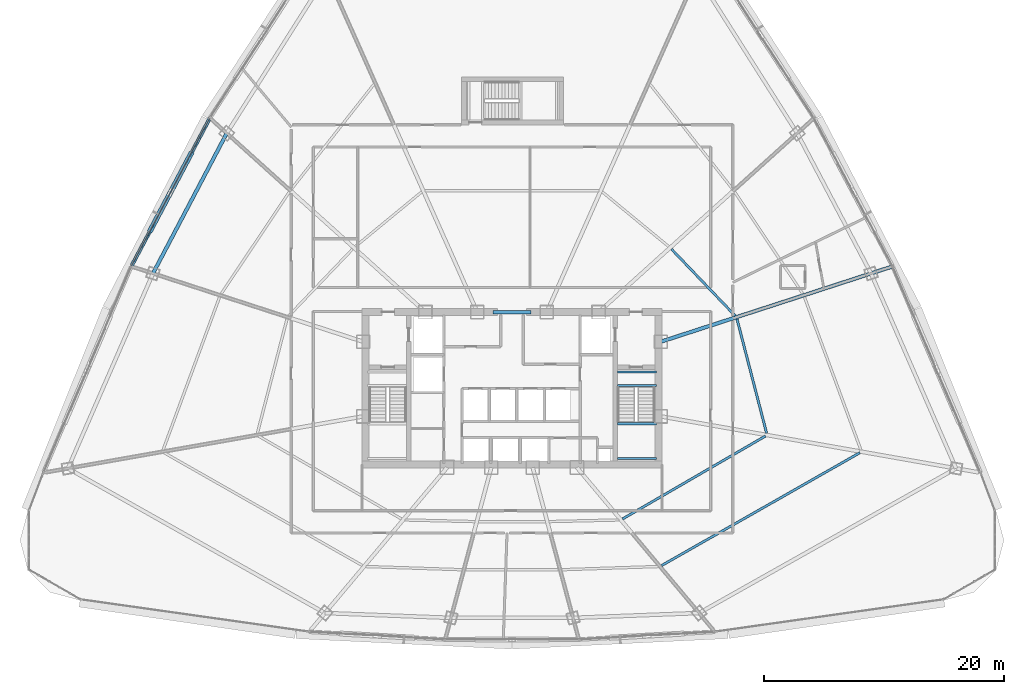
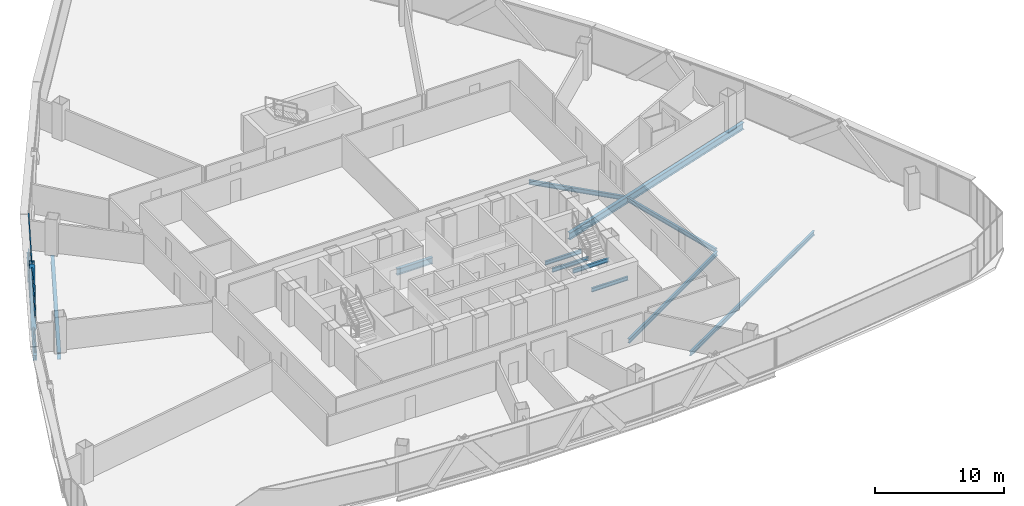
# One storey, part 15 of 42: 12 beams, 4 members, 1 element without a shape of its own.
"""IFC4 building model written with IfcOpenShell, lengths in metres."""

from ifc_helpers import new_model, si_unit, direction, frame, origin, origin_2d, place, context, subcontext, project, spatial, hollow_rectangle, i_section, extrude, source, transform, mapped, material, layer, layer_set, material_profile, profile_set, type_object, element, aggregate, save


model = new_model("IFC4")

# Units and contexts
model_context = context("Model", 3, precision=1e-05, world=origin(), true_north=direction((0.0, 1.0)))
body_context = subcontext(model_context, "Body", "Model", "MODEL_VIEW")
ifc_project = project(units=[si_unit("LENGTHUNIT", "METRE"), si_unit("AREAUNIT", "SQUARE_METRE"), si_unit("VOLUMEUNIT", "CUBIC_METRE"), si_unit("PLANEANGLEUNIT", "RADIAN"), si_unit("MASSUNIT", "GRAM", prefix="KILO"), si_unit("THERMODYNAMICTEMPERATUREUNIT", "KELVIN"), si_unit("POWERUNIT", "WATT")], contexts=[model_context])

# Site, building, storey
site_placement = place(None, origin())
site = spatial("IfcSite", under=ifc_project, at=site_placement, CompositionType="ELEMENT")
building_placement = place(site_placement, origin())
building = spatial("IfcBuilding", under=site, at=building_placement, Name="Yunzhuo Pagoda Commons", CompositionType="ELEMENT")
storey_placement = place(building_placement, frame((0.0, 0.0, 133.510009765625)))
storey = spatial("IfcBuildingStorey", under=building, at=storey_placement, Name="L33", CompositionType="ELEMENT", Elevation=133.510009765625)

# Beams
ifc_material_1 = material(Name="Structural steel Q355B", Category="steel")
ifc_material_profile_1 = material_profile(ifc_material_1, i_section(OverallWidth=0.175048828125, OverallDepth=0.35009765625, WebThickness=0.007080078125, FlangeThickness=0.010986328125, at=origin_2d()), Name="Structural steel Q355B")
ifc_profile_set_1 = profile_set([ifc_material_profile_1], Name="Structural steel Q355B")
beam_type_1 = type_object("IfcBeamType", Name="B-JS2 Joist HN 350x175x7x11", PredefinedType="JOIST", material=ifc_profile_set_1)
shared_shape_1 = source(origin(), body_context, "Body", "SweptSolid", [
    extrude(i_section(OverallWidth=0.175048828125, OverallDepth=0.35009765625, WebThickness=0.007080078125, FlangeThickness=0.010986328125, at=origin_2d()), origin(), (0.0, 0.0, 1.0), 3.25),
])
for number, where, z_axis, x_axis, name in (
    (1, (56.800048828125, 28.0, 1.465087890625), (1.0, 0.0, 0.0), (0.0, 1.0, 0.0), "L33 ST2 landing support beam 39A"),
    (2, (56.800048828125, 30.89990234375, 1.465087890625), (1.0, 0.0, 0.0), (0.0, 1.0, 0.0), "L33 ST2 landing support beam 39B"),
    (3, (56.800048828125, 34.10009765625, -0.375), (1.0, 0.0, 0.0), (0.0, 1.0, 0.0), "L33 ST2 landing support beam 137A"),
    (4, (56.800048828125, 35.199951171875, -0.375), (1.0, 0.0, 0.0), (0.0, 1.0, 0.0), "L33 ST2 landing support beam 137B"),
):
    element("IfcBeam", number, at=place(storey_placement, frame(where, z_axis=z_axis, x_axis=x_axis)), inside=storey, type_object=beam_type_1, Name=name, PredefinedType="JOIST", context=body_context, shape_type="MappedRepresentation", body=[
        mapped(shared_shape_1, transform((0.0, 0.0, 0.0), scale=1.0)),
    ])
ifc_material_2 = material(Name="Structural steel Q420B", Category="steel")
ifc_material_profile_2 = material_profile(ifc_material_2, i_section(OverallWidth=0.300048828125, OverallDepth=0.587890625, WebThickness=0.011962890625, FlangeThickness=0.02001953125, at=origin_2d()), Name="Structural steel Q420B")
ifc_profile_set_2 = profile_set([ifc_material_profile_2], Name="Structural steel Q420B")
beam_type_2 = type_object("IfcBeamType", Name="B-CPL Beam HM 588x300x12x20", PredefinedType="BEAM", material=ifc_profile_set_2)
shared_shape_2 = source(origin(), body_context, "Body", "SweptSolid", [
    extrude(i_section(OverallWidth=0.300048828125, OverallDepth=0.587890625, WebThickness=0.011962890625, FlangeThickness=0.02001953125, at=origin_2d()), origin(), (0.0, 0.0, 1.0), 3.2001953125),
])
beam_1_placement = place(storey_placement, frame((46.39990234375, 40.199951171875, -0.553955078125), z_axis=(1.0, 0.0, 0.0), x_axis=(0.0, 1.0, 0.0)))
element("IfcBeam", 5, at=beam_1_placement, inside=storey, type_object=beam_type_2, Name="L33 core coupling girder", PredefinedType="BEAM", context=body_context, shape_type="MappedRepresentation", body=[
    mapped(shared_shape_2, transform((0.0, 0.0, 0.0), scale=1.0)),
])
ifc_material_profile_3 = material_profile(ifc_material_1, i_section(OverallWidth=0.300048828125, OverallDepth=0.488037109375, WebThickness=0.010986328125, FlangeThickness=0.01806640625, at=origin_2d()), Name="Structural steel Q355B")
ifc_profile_set_3 = profile_set([ifc_material_profile_3], Name="Structural steel Q355B")
beam_type_3 = type_object("IfcBeamType", Name="B-SP1 Beam HM 488x300x11x18", PredefinedType="BEAM", material=ifc_profile_set_3)
shared_shape_3 = source(origin(), body_context, "Body", "SweptSolid", [
    extrude(i_section(OverallWidth=0.300048828125, OverallDepth=0.488037109375, WebThickness=0.010986328125, FlangeThickness=0.01806640625, at=origin_2d()), origin(), (0.0, 0.0, 1.0), 13.98681640625),
])
beam_2_placement = place(storey_placement, frame((22.826171875, 56.36669921875, -0.503662109375), z_axis=(-0.468057733589, -0.883697888437, 0.0), x_axis=(0.883697888437, -0.468057733589, 0.0)))
element("IfcBeam", 6, at=beam_2_placement, inside=storey, type_object=beam_type_3, Name="L33 facade edge spandrel beam F3.2", PredefinedType="BEAM", context=body_context, shape_type="MappedRepresentation", body=[
    mapped(shared_shape_3, transform((0.0, 0.0, 0.0), scale=1.0)),
])
ifc_material_profile_4 = material_profile(ifc_material_1, i_section(OverallWidth=0.300048828125, OverallDepth=0.64990234375, WebThickness=0.012939453125, FlangeThickness=0.02197265625, at=origin_2d()), Name="Structural steel Q355B")
ifc_profile_set_4 = profile_set([ifc_material_profile_4], Name="Structural steel Q355B")
beam_type_4 = type_object("IfcBeamType", Name="B-RG2 Beam HN 650x300x13x22", PredefinedType="BEAM", material=ifc_profile_set_4)
shared_shape_4 = source(origin(), body_context, "Body", "SweptSolid", [
    extrude(i_section(OverallWidth=0.300048828125, OverallDepth=0.64990234375, WebThickness=0.012939453125, FlangeThickness=0.02197265625, at=origin_2d()), origin(), (0.0, 0.0, 1.0), 20.159912109375),
])
beam_3_placement = place(storey_placement, frame((79.572998046875, 43.958740234375, -0.5849609375), z_axis=(-0.951056226242, -0.309017887067, 0.0), x_axis=(0.309017887067, -0.951056226242, 0.0)))
element("IfcBeam", 7, at=beam_3_placement, inside=storey, type_object=beam_type_4, Name="L33 radial floor girder F2C2", PredefinedType="BEAM", context=body_context, shape_type="MappedRepresentation", body=[
    mapped(shared_shape_4, transform((0.0, 0.0, 0.0), scale=1.0)),
])
ifc_material_profile_5 = material_profile(ifc_material_1, i_section(OverallWidth=0.199951171875, OverallDepth=0.39990234375, WebThickness=0.008056640625, FlangeThickness=0.012939453125, at=origin_2d()), Name="Structural steel Q355B")
ifc_profile_set_5 = profile_set([ifc_material_profile_5], Name="Structural steel Q355B")
beam_type_5 = type_object("IfcBeamType", Name="B-JS1 Joist HN 400x200x8x13", PredefinedType="JOIST", material=ifc_profile_set_5)
shared_shape_5 = source(origin(), body_context, "Body", "SweptSolid", [
    extrude(i_section(OverallWidth=0.199951171875, OverallDepth=0.39990234375, WebThickness=0.008056640625, FlangeThickness=0.012939453125, at=origin_2d()), origin(), (0.0, 0.0, 1.0), 13.76416015625),
])
beam_4_placement = place(storey_placement, frame((57.2119140625, 22.96533203125, -0.4599609375), z_axis=(0.864967288101, 0.501828248025, 0.0), x_axis=(-0.501828248025, 0.864967288101, 0.0)))
element("IfcBeam", 8, at=beam_4_placement, inside=storey, type_object=beam_type_5, Name="L33 composite ring joist 1.4", PredefinedType="JOIST", context=body_context, shape_type="MappedRepresentation", body=[
    mapped(shared_shape_5, transform((0.0, 0.0, 0.0), scale=1.0)),
])
shared_shape_6 = source(origin(), body_context, "Body", "SweptSolid", [
    extrude(i_section(OverallWidth=0.199951171875, OverallDepth=0.39990234375, WebThickness=0.008056640625, FlangeThickness=0.012939453125, at=origin_2d()), origin(), (0.0, 0.0, 1.0), 19.007568359375),
])
beam_5_placement = place(storey_placement, frame((60.468017578125, 19.08447265625, -0.4599609375), z_axis=(0.869119947472, 0.494601371718, 0.0), x_axis=(-0.494601371718, 0.869119947472, 0.0)))
element("IfcBeam", 9, at=beam_5_placement, inside=storey, type_object=beam_type_5, Name="L33 composite ring joist 2.4", PredefinedType="JOIST", context=body_context, shape_type="MappedRepresentation", body=[
    mapped(shared_shape_6, transform((0.0, 0.0, 0.0), scale=1.0)),
])
shared_shape_7 = source(origin(), body_context, "Body", "SweptSolid", [
    extrude(i_section(OverallWidth=0.199951171875, OverallDepth=0.39990234375, WebThickness=0.008056640625, FlangeThickness=0.012939453125, at=origin_2d()), origin(), (0.0, 0.0, 1.0), 9.8330078125),
])
beam_6_placement = place(storey_placement, frame((69.215087890625, 30.10595703125, -0.4599609375), z_axis=(-0.251166367041, 0.967943932295, 0.0), x_axis=(-0.967943932295, -0.251166367041, 0.0)))
element("IfcBeam", 10, at=beam_6_placement, inside=storey, type_object=beam_type_5, Name="L33 composite ring joist 1.5", PredefinedType="JOIST", context=body_context, shape_type="MappedRepresentation", body=[
    mapped(shared_shape_7, transform((0.0, 0.0, 0.0), scale=1.0)),
])
shared_shape_8 = source(origin(), body_context, "Body", "SweptSolid", [
    extrude(i_section(OverallWidth=0.300048828125, OverallDepth=0.64990234375, WebThickness=0.012939453125, FlangeThickness=0.02197265625, at=origin_2d()), origin(), (0.0, 0.0, 1.0), 13.198974609375),
])
beam_7_placement = place(storey_placement, frame((24.23388671875, 55.09912109375, -0.5849609375), z_axis=(-0.465885937554, -0.884844784801, 0.0), x_axis=(0.884844784801, -0.465885937554, 0.0)))
element("IfcBeam", 11, at=beam_7_placement, inside=storey, type_object=beam_type_4, Name="L33 column-ring beam 10", PredefinedType="BEAM", context=body_context, shape_type="MappedRepresentation", body=[
    mapped(shared_shape_8, transform((0.0, 0.0, 0.0), scale=1.0)),
])
shared_shape_9 = source(origin(), body_context, "Body", "SweptSolid", [
    extrude(i_section(OverallWidth=0.199951171875, OverallDepth=0.39990234375, WebThickness=0.008056640625, FlangeThickness=0.012939453125, at=origin_2d()), origin(), (0.0, 0.0, 1.0), 7.685546875),
])
beam_8_placement = place(storey_placement, frame((66.595703125, 39.892578125, -0.4599609375), z_axis=(-0.690882862648, 0.722966714378, 0.0), x_axis=(-0.722966714378, -0.690882862648, 0.0)))
element("IfcBeam", 12, at=beam_8_placement, inside=storey, type_object=beam_type_5, Name="L33 composite ring joist 1.6", PredefinedType="JOIST", context=body_context, shape_type="MappedRepresentation", body=[
    mapped(shared_shape_9, transform((0.0, 0.0, 0.0), scale=1.0)),
])

# Members
ifc_material_profile_6 = material_profile(ifc_material_2, hollow_rectangle(XDim=0.419921875, YDim=0.719970703125, WallThickness=0.028076171875, at=origin_2d()), Name="Structural steel Q420B")
ifc_profile_set_6 = profile_set([ifc_material_profile_6], Name="Structural steel Q420B")
member_type_1 = type_object("IfcMemberType", Name="M-DL1 Brace BOX 720x420x28", PredefinedType="BRACE", material=ifc_profile_set_6)
shared_shape_10 = source(origin(), body_context, "Body", "SweptSolid", [
    extrude(hollow_rectangle(XDim=0.419921875, YDim=0.719970703125, WallThickness=0.028076171875, at=origin_2d()), origin(), (0.0, 0.0, 1.0), 5.076416015625),
])
member_1_placement = place(storey_placement, frame((21.189453125, 53.276611328125, -0.260009765625), z_axis=(-0.322420021566, -0.608721690477, 0.724916018058), x_axis=(0.883694492721, -0.468064144679, 0.0)))
element("IfcMember", 13, at=member_1_placement, inside=storey, type_object=member_type_1, Name="L33 facade diamond brace F3.2L", PredefinedType="BRACE", context=body_context, shape_type="MappedRepresentation", body=[
    mapped(shared_shape_10, transform((0.0, 0.0, 0.0), scale=1.0)),
])
shared_shape_11 = source(origin(), body_context, "Body", "SweptSolid", [
    extrude(hollow_rectangle(XDim=0.419921875, YDim=0.719970703125, WallThickness=0.028076171875, at=origin_2d()), origin(), (0.0, 0.0, 1.0), 5.076171875),
])
member_2_placement = place(storey_placement, frame((17.916259765625, 47.0966796875, -0.260009765625), z_axis=(0.322386364581, 0.608700854861, 0.724948481773), x_axis=(-0.883708076265, 0.468038498357, 0.0)))
element("IfcMember", 14, at=member_2_placement, inside=storey, type_object=member_type_1, Name="L33 facade diamond brace F3.2R", PredefinedType="BRACE", context=body_context, shape_type="MappedRepresentation", body=[
    mapped(shared_shape_11, transform((0.0, 0.0, 0.0), scale=1.0)),
])

# Curtain wall, members
ifc_material_3 = material(Name="Anodized aluminium 6063-T6", Category="aluminium")
ifc_layer = layer(ifc_material_3, 0.14990234375)
ifc_layer_set = layer_set([ifc_layer], Name="Anodized aluminium 6063-T6")
curtain_wall_type = type_object("IfcCurtainWallType", Name="CW-MID Mid-Zone Ribbon Curtain Wall", PredefinedType="NOTDEFINED", material=ifc_layer_set)
curtain_wall_placement = place(storey_placement, origin())
curtain_wall = element("IfcCurtainWall", 15, at=curtain_wall_placement, inside=storey, type_object=curtain_wall_type, Name="L33 curtain wall CW-L33-F3B3", PredefinedType="NOTDEFINED")
ifc_material_profile_7 = material_profile(ifc_material_3, hollow_rectangle(XDim=0.054931640625, YDim=0.1298828125, WallThickness=0.00341796875, at=origin_2d()), Name="Anodized aluminium 6063-T6")
ifc_profile_set_7 = profile_set([ifc_material_profile_7], Name="Anodized aluminium 6063-T6")
member_type_2 = type_object("IfcMemberType", Name="CW-MID-T Transom RHS 130x55x3.5", PredefinedType="USERDEFINED", material=ifc_profile_set_7)
shared_shape_12 = source(origin(), body_context, "Body", "SweptSolid", [
    extrude(hollow_rectangle(XDim=0.054931640625, YDim=0.1298828125, WallThickness=0.00341796875, at=origin_2d()), origin(), (0.0, 0.0, 1.0), 13.86669921875),
])
member_3_placement = place(storey_placement, frame((22.798095703125, 56.3134765625, 0.027587890625), z_axis=(-0.468063250671, -0.883694966247, 0.0), x_axis=(0.883694966247, -0.468063250671, 0.0)))
member_3 = element("IfcMember", 16, at=member_3_placement, type_object=member_type_2, Name="CW transom 1.1", ObjectType="TRANSOM", PredefinedType="USERDEFINED", context=body_context, shape_type="MappedRepresentation", body=[
    mapped(shared_shape_12, transform((0.0, 0.0, 0.0), scale=1.0)),
])
member_4_placement = place(storey_placement, frame((22.798095703125, 56.3134765625, 3.392578125), z_axis=(-0.468063250671, -0.883694966247, 0.0), x_axis=(0.883694966247, -0.468063250671, 0.0)))
member_4 = element("IfcMember", 17, at=member_4_placement, type_object=member_type_2, Name="CW transom 1.2", ObjectType="TRANSOM", PredefinedType="USERDEFINED", context=body_context, shape_type="MappedRepresentation", body=[
    mapped(shared_shape_12, transform((0.0, 0.0, 0.0), scale=1.0)),
])
aggregate(curtain_wall, [member_3, member_4])

save(model, "model.ifc")
